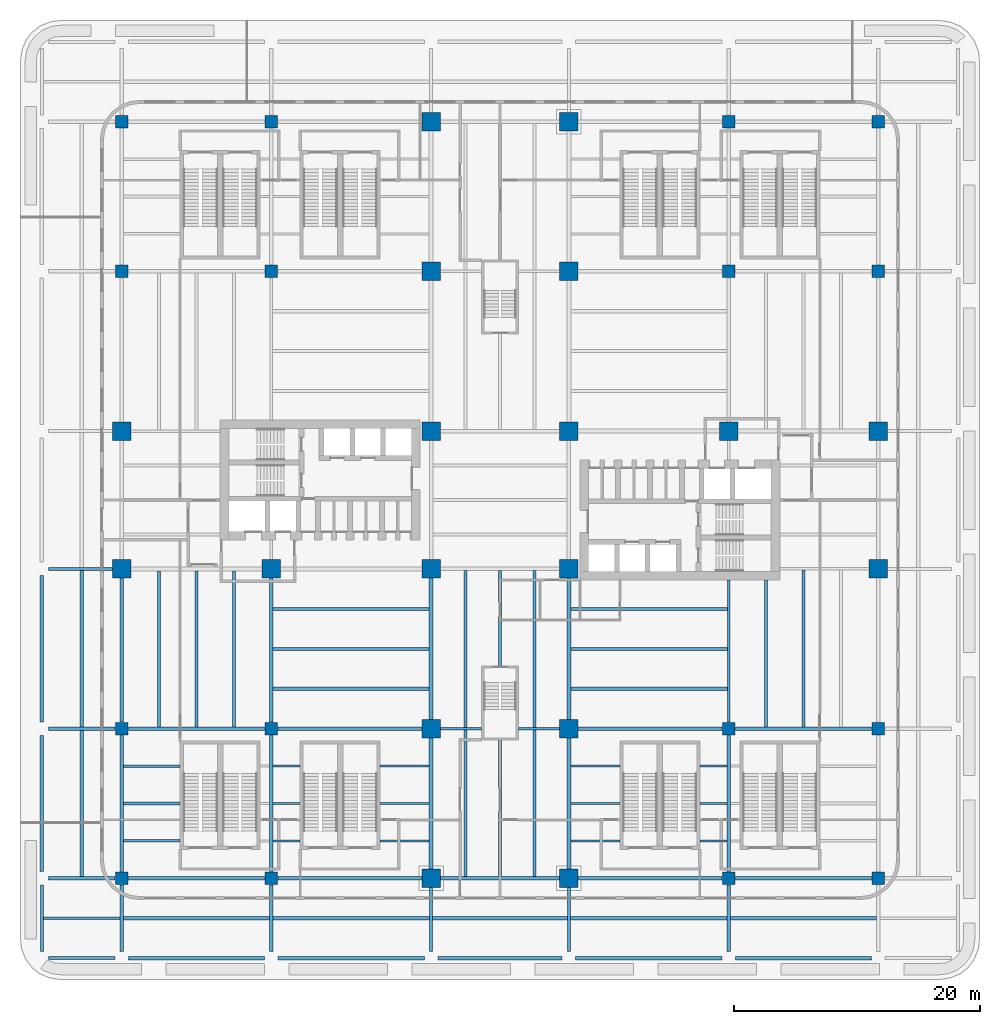
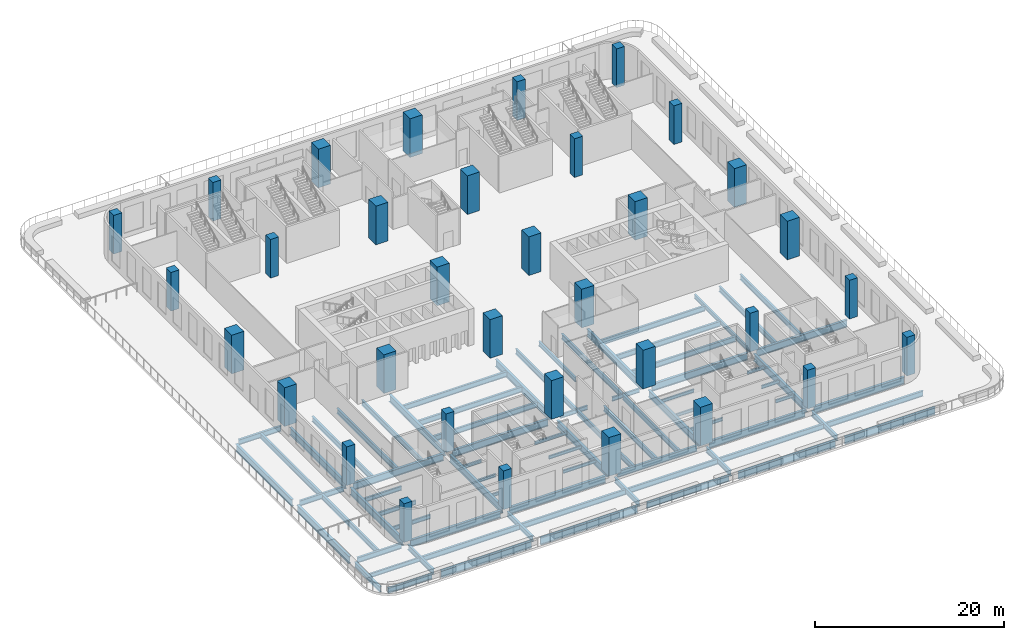
# One storey, part 1 of 17: 78 beams, 34 columns.
"""IFC4 building model written with IfcOpenShell, lengths in metres."""

import ifcopenshell
import ifcopenshell.guid

model = None  # the IFC model being written
_history = None  # IfcOwnerHistory: only IFC2X3 demands one
_inside = {}  # id of a spatial element -> (the spatial element, [elements in it])
_under = {}  # id of a project, library or spatial element -> (it, [spatial elements below it])
_declared = {}  # id of a project -> (the project, [libraries it declares])
_typed = {}  # id of a type object -> (the type object, [elements of that type])
_made_of = {}  # id of a material, layer set ... -> (it, [elements and type objects made of it])


def new_model(schema):
    """Start an empty IFC model of exactly this schema.

    Asked for "IFC4X3", IfcOpenShell would pick the latest addendum, in which some entities
    have other attributes; the version numbers below select the first issue.
    IFC2X3 requires an IfcOwnerHistory on every rooted entity: one is made here for all.
    """
    global model, _history
    if schema == "IFC4X3":
        model = ifcopenshell.file(schema_version=(4, 3, 0, 0))
    else:
        model = ifcopenshell.file(schema=schema)
    _inside.clear()
    _under.clear()
    _declared.clear()
    _typed.clear()
    _made_of.clear()
    _history = None
    if model.schema == "IFC2X3":
        org = make("IfcOrganization", Name="unknown")
        user = make(
            "IfcPersonAndOrganization",
            ThePerson=make("IfcPerson", FamilyName="unknown"),
            TheOrganization=org,
        )
        app = make(
            "IfcApplication",
            ApplicationDeveloper=org,
            Version="unknown",
            ApplicationFullName="unknown",
            ApplicationIdentifier="unknown",
        )
        _history = make(
            "IfcOwnerHistory",
            OwningUser=user,
            OwningApplication=app,
            ChangeAction="ADDED",
            CreationDate=0,
        )
    return model


def make(cls, **values):
    """One entity of the class cls with the attributes given. An attribute that is None is left unset."""
    return model.create_entity(
        cls, **{name: value for name, value in values.items() if value is not None}
    )


def rooted(cls, **values):
    """An entity with a GlobalId (a new one), such as an element, a storey or a relation."""
    return make(cls, GlobalId=ifcopenshell.guid.new(), OwnerHistory=_history, **values)


def si_unit(unit_type, name, prefix=None):
    """IfcSIUnit, for example si_unit("LENGTHUNIT", "METRE", prefix="MILLI")."""
    return make("IfcSIUnit", UnitType=unit_type, Prefix=prefix, Name=name)


def assignment(units):
    """IfcUnitAssignment: the units of a project."""
    return None if units is None else make("IfcUnitAssignment", Units=units)


def point(xyz):
    """IfcCartesianPoint."""
    return None if xyz is None else make("IfcCartesianPoint", Coordinates=xyz)


def direction(xyz):
    """IfcDirection."""
    return None if xyz is None else make("IfcDirection", DirectionRatios=xyz)


def frame(location, z_axis=None, x_axis=None):
    """IfcAxis2Placement3D, a coordinate frame: its origin and axes. An axis left out is left unset."""
    return make(
        "IfcAxis2Placement3D",
        Location=point(location),
        Axis=direction(z_axis),
        RefDirection=direction(x_axis),
    )


def frame_2d(location, x_axis=None):
    """IfcAxis2Placement2D, a coordinate frame in the plane: its origin and x axis."""
    return make(
        "IfcAxis2Placement2D", Location=point(location), RefDirection=direction(x_axis)
    )


def origin():
    """The frame at (0, 0, 0) with its axes left unset."""
    return frame((0.0, 0.0, 0.0))


def origin_2d():
    """The frame at (0, 0) in the plane with its x axis left unset."""
    return frame_2d((0.0, 0.0))


def place(relative_to, where):
    """IfcLocalPlacement: puts the frame where relative to a parent placement (None: the world)."""
    return make(
        "IfcLocalPlacement", PlacementRelTo=relative_to, RelativePlacement=where
    )


def context(
    kind, dimensions, precision=None, world=None, true_north=None, identifier=None
):
    """IfcGeometricRepresentationContext, for example the 3D "Model" context."""
    return make(
        "IfcGeometricRepresentationContext",
        ContextIdentifier=identifier,
        ContextType=kind,
        CoordinateSpaceDimension=dimensions,
        Precision=precision,
        WorldCoordinateSystem=world,
        TrueNorth=true_north,
    )


def subcontext(parent, identifier, kind, view, scale=None):
    """IfcGeometricRepresentationSubContext, for example "Body" below "Model"."""
    return make(
        "IfcGeometricRepresentationSubContext",
        ContextIdentifier=identifier,
        ContextType=kind,
        ParentContext=parent,
        TargetScale=scale,
        TargetView=view,
    )


def project(units=None, contexts=None):
    """IfcProject with its units and contexts."""
    return rooted(
        "IfcProject",
        Name="project",
        RepresentationContexts=contexts,
        UnitsInContext=assignment(units),
    )


def spatial(cls, under=None, at=None, **own):
    """A site, building, storey or space (cls), placed at a placement, below another one or the project."""
    s = rooted(cls, ObjectPlacement=at, **own)
    if under is not None:
        _under.setdefault(under.id(), (under, []))[1].append(s)
    return s


def profile(cls, at=None, kind="AREA", **sizes):
    """A parametric profile (cls). Its sizes go by their IFC names, for example OverallWidth=200.0."""
    return make(cls, ProfileType=kind, Position=at, **sizes)


def rectangle(**sizes):
    """IfcRectangleProfileDef."""
    return profile("IfcRectangleProfileDef", **sizes)


def i_section(**sizes):
    """IfcIShapeProfileDef."""
    return profile("IfcIShapeProfileDef", **sizes)


def extrude(swept, where, along, depth):
    """IfcExtrudedAreaSolid: the profile swept, set in the frame where, extruded along a direction by depth."""
    return make(
        "IfcExtrudedAreaSolid",
        SweptArea=swept,
        Position=where,
        ExtrudedDirection=direction(along),
        Depth=depth,
    )


def shape(context_of_items, identifier, shape_type, items):
    """IfcShapeRepresentation: the items that make up one representation, for example the "Body"."""
    return make(
        "IfcShapeRepresentation",
        ContextOfItems=context_of_items,
        RepresentationIdentifier=identifier,
        RepresentationType=shape_type,
        Items=items,
    )


def source(mapping_origin, context_of_items, identifier, shape_type, items):
    """IfcRepresentationMap: a shape defined once, which mapped items show again and again."""
    return make(
        "IfcRepresentationMap",
        MappingOrigin=mapping_origin,
        MappedRepresentation=shape(context_of_items, identifier, shape_type, items),
    )


def transform(
    local_origin,
    x_axis=None,
    y_axis=None,
    z_axis=None,
    scale=None,
    scale2=None,
    scale3=None,
    uniform=True,
):
    """IfcCartesianTransformationOperator3D, or its non-uniform kind. x_axis, y_axis, z_axis: its Axis1, 2, 3."""
    if uniform:
        return make(
            "IfcCartesianTransformationOperator3D",
            Axis1=direction(x_axis),
            Axis2=direction(y_axis),
            LocalOrigin=point(local_origin),
            Scale=scale,
            Axis3=direction(z_axis),
        )
    return make(
        "IfcCartesianTransformationOperator3DnonUniform",
        Axis1=direction(x_axis),
        Axis2=direction(y_axis),
        LocalOrigin=point(local_origin),
        Scale=scale,
        Axis3=direction(z_axis),
        Scale2=scale2,
        Scale3=scale3,
    )


def mapped(mapping_source, mapping_target):
    """IfcMappedItem: shows the shape of a source again, moved by a transform."""
    return make(
        "IfcMappedItem", MappingSource=mapping_source, MappingTarget=mapping_target
    )


def material(Name=None, Category=None):
    """IfcMaterial."""
    return make("IfcMaterial", Name=Name, Category=Category)


def material_profile(
    of_material, cross_section, Name=None, Category=None, Priority=None
):
    """IfcMaterialProfile: a cross section and its material."""
    return make(
        "IfcMaterialProfile",
        Name=Name,
        Material=of_material,
        Profile=cross_section,
        Priority=Priority,
        Category=Category,
    )


def profile_set(profiles, Name=None, composite=None):
    """IfcMaterialProfileSet."""
    return make(
        "IfcMaterialProfileSet",
        Name=Name,
        MaterialProfiles=profiles,
        CompositeProfile=composite,
    )


def made_of(thing, what):
    """Note that an element or type object is made of a material, layer set ...; save() writes the relation."""
    if what is not None:
        _made_of.setdefault(what.id(), (what, []))[1].append(thing)
    return thing


def type_object(cls, material=None, **own):
    """A type object (cls), such as IfcWallType, which elements share."""
    return made_of(rooted(cls, **own), material)


def element(
    cls,
    number,
    at=None,
    inside=None,
    cuts=None,
    type_object=None,
    material=None,
    context=None,
    identifier="Body",
    shape_type=None,
    held_by="IfcProductDefinitionShape",
    body=None,
    shapes=None,
    **own,
):
    """One element of the class cls, such as IfcWall. Its Tag is "e" and its number.

    at: its placement. inside: the storey or other place that contains it. cuts: it is an
    opening in that element (IfcRelVoidsElement). A single representation is given by context,
    identifier, shape_type and body (its items); several are given by shapes. held_by: the class
    of the entity that holds the representations. save() writes the other relations.
    """
    e = rooted(cls, Tag="e%d" % number, ObjectPlacement=at, **own)
    if body is not None:
        shapes = [shape(context, identifier, shape_type, body)]
    if shapes is not None:
        e.Representation = make(held_by, Representations=shapes)
    if inside is not None:
        _inside.setdefault(inside.id(), (inside, []))[1].append(e)
    if cuts is not None:
        rooted(
            "IfcRelVoidsElement", RelatingBuildingElement=cuts, RelatedOpeningElement=e
        )
    if type_object is not None:
        _typed.setdefault(type_object.id(), (type_object, []))[1].append(e)
    return made_of(e, material)


def aggregate(whole, parts):
    """IfcRelAggregates: a whole, such as a stair, and the parts it consists of."""
    return rooted("IfcRelAggregates", RelatingObject=whole, RelatedObjects=parts)


def save(model, path):
    """Write the relations noted so far, then the file.

    IfcRelAggregates (storeys below a building ...), IfcRelContainedInSpatialStructure (elements
    in a storey), IfcRelDefinesByType, IfcRelAssociatesMaterial and IfcRelDeclares: one each for
    every whole, place, type object, material and project.
    """
    for whole, parts in _under.values():
        aggregate(whole, parts)
    for where, things in _inside.values():
        rooted(
            "IfcRelContainedInSpatialStructure",
            RelatedElements=things,
            RelatingStructure=where,
        )
    for kind, things in _typed.values():
        rooted("IfcRelDefinesByType", RelatedObjects=things, RelatingType=kind)
    for what, things in _made_of.values():
        rooted("IfcRelAssociatesMaterial", RelatedObjects=things, RelatingMaterial=what)
    for by, libraries in _declared.values():
        rooted("IfcRelDeclares", RelatingContext=by, RelatedDefinitions=libraries)
    model.write(path)


model = new_model("IFC4")

# Units and contexts
model_context = context("Model", 3, precision=1e-05, world=origin(), true_north=direction((0.0, 1.0)))
body_context = subcontext(model_context, "Body", "Model", "MODEL_VIEW")
ifc_project = project(units=[si_unit("LENGTHUNIT", "METRE"), si_unit("AREAUNIT", "SQUARE_METRE"), si_unit("VOLUMEUNIT", "CUBIC_METRE"), si_unit("PLANEANGLEUNIT", "RADIAN"), si_unit("MASSUNIT", "GRAM", prefix="KILO")], contexts=[model_context])

# Site, building, storey
site_placement = place(None, origin())
site = spatial("IfcSite", under=ifc_project, at=site_placement, CompositionType="ELEMENT")
building_placement = place(site_placement, origin())
building = spatial("IfcBuilding", under=site, at=building_placement, Name="Trellis Farm Tower", CompositionType="ELEMENT")
storey_placement = place(building_placement, frame((0.0, 0.0, 24.0)))
storey = spatial("IfcBuildingStorey", under=building, at=storey_placement, Name="L04", CompositionType="ELEMENT", Elevation=24.0)

# Columns
ifc_material_1 = material(Name="Concrete C80/95", Category="concrete")
ifc_material_profile_1 = material_profile(ifc_material_1, rectangle(XDim=1.5, YDim=1.5, at=origin_2d()), Name="RC column 1500x1500 C80/95")
ifc_profile_set_1 = profile_set([ifc_material_profile_1], Name="Concrete C80/95")
column_type_1 = type_object("IfcColumnType", Name="RC column 1500x1500 C80/95", PredefinedType="COLUMN", material=ifc_profile_set_1)
shared_shape_1 = source(origin(), body_context, "Body", "SweptSolid", [
    extrude(rectangle(XDim=1.5, YDim=1.5, at=origin_2d()), origin(), (0.0, 0.0, 1.0), 5.0),
])
for number, where, z_axis, x_axis, name in (
    (1, (5.60009765625, 5.60009765625, 0.0), (0.0, 0.0, 1.0), (1.0, 0.0, 0.0), "Column"),
    (2, (5.60009765625, 18.60009765625, 0.0), (0.0, 0.0, 1.0), (1.0, 0.0, 0.0), "Column"),
    (3, (5.60009765625, 30.75, 0.0), (0.0, 0.0, 1.0), (1.0, 0.0, 0.0), "Column"),
    (4, (5.60009765625, -5.60009765625, 0.0), (0.0, 0.0, 1.0), (1.0, 0.0, 0.0), "Column"),
    (5, (5.60009765625, -18.60009765625, 0.0), (0.0, 0.0, 1.0), (1.0, 0.0, 0.0), "Column"),
    (6, (5.60009765625, -30.75, 0.0), (0.0, 0.0, 1.0), (1.0, 0.0, 0.0), "Column"),
    (7, (18.60009765625, 5.60009765625, 0.0), (0.0, 0.0, 1.0), (1.0, 0.0, 0.0), "Column"),
    (8, (30.75, 5.60009765625, 0.0), (0.0, 0.0, 1.0), (1.0, 0.0, 0.0), "Column"),
    (9, (30.75, -5.60009765625, 0.0), (0.0, 0.0, 1.0), (1.0, 0.0, 0.0), "Column"),
    (10, (-5.60009765625, 5.60009765625, 0.0), (0.0, 0.0, 1.0), (1.0, 0.0, 0.0), "Column"),
    (11, (-5.60009765625, 18.60009765625, 0.0), (0.0, 0.0, 1.0), (1.0, 0.0, 0.0), "Column"),
    (12, (-5.60009765625, 30.75, 0.0), (0.0, 0.0, 1.0), (1.0, 0.0, 0.0), "Column"),
    (13, (-5.60009765625, -5.60009765625, 0.0), (0.0, 0.0, 1.0), (1.0, 0.0, 0.0), "Column"),
    (14, (-5.60009765625, -18.60009765625, 0.0), (0.0, 0.0, 1.0), (1.0, 0.0, 0.0), "Column"),
    (15, (-5.60009765625, -30.75, 0.0), (0.0, 0.0, 1.0), (1.0, 0.0, 0.0), "Column"),
    (16, (-18.60009765625, -5.60009765625, 0.0), (0.0, 0.0, 1.0), (1.0, 0.0, 0.0), "Column"),
    (17, (-30.75, 5.60009765625, 0.0), (0.0, 0.0, 1.0), (1.0, 0.0, 0.0), "Column"),
    (18, (-30.75, -5.60009765625, 0.0), (0.0, 0.0, 1.0), (1.0, 0.0, 0.0), "Column"),
):
    element("IfcColumn", number, at=place(storey_placement, frame(where, z_axis=z_axis, x_axis=x_axis)), inside=storey, type_object=column_type_1, Name=name, PredefinedType="COLUMN", context=body_context, shape_type="MappedRepresentation", body=[
        mapped(shared_shape_1, transform((0.0, 0.0, 0.0))),
    ])
ifc_material_2 = material(Name="Concrete C60/75", Category="concrete")
ifc_material_profile_2 = material_profile(ifc_material_2, rectangle(XDim=1.0, YDim=1.0, at=origin_2d()), Name="RC column 1000x1000 C60/75")
ifc_profile_set_2 = profile_set([ifc_material_profile_2], Name="Concrete C60/75")
column_type_2 = type_object("IfcColumnType", Name="RC column 1000x1000 C60/75", PredefinedType="COLUMN", material=ifc_profile_set_2)
shared_shape_2 = source(origin(), body_context, "Body", "SweptSolid", [
    extrude(rectangle(XDim=1.0, YDim=1.0, at=origin_2d()), origin(), (0.0, 0.0, 1.0), 5.0),
])
for number, where, z_axis, x_axis, name in (
    (19, (18.60009765625, 18.60009765625, 0.0), (0.0, 0.0, 1.0), (1.0, 0.0, 0.0), "Column"),
    (20, (18.60009765625, 30.75, 0.0), (0.0, 0.0, 1.0), (1.0, 0.0, 0.0), "Column"),
    (21, (18.60009765625, -18.60009765625, 0.0), (0.0, 0.0, 1.0), (1.0, 0.0, 0.0), "Column"),
    (22, (18.60009765625, -30.75, 0.0), (0.0, 0.0, 1.0), (1.0, 0.0, 0.0), "Column"),
    (23, (30.75, 18.60009765625, 0.0), (0.0, 0.0, 1.0), (1.0, 0.0, 0.0), "Column"),
    (24, (30.75, 30.75, 0.0), (0.0, 0.0, 1.0), (1.0, 0.0, 0.0), "Column"),
    (25, (30.75, -18.60009765625, 0.0), (0.0, 0.0, 1.0), (1.0, 0.0, 0.0), "Column"),
    (26, (30.75, -30.75, 0.0), (0.0, 0.0, 1.0), (1.0, 0.0, 0.0), "Column"),
    (27, (-18.60009765625, 18.60009765625, 0.0), (0.0, 0.0, 1.0), (1.0, 0.0, 0.0), "Column"),
    (28, (-18.60009765625, 30.75, 0.0), (0.0, 0.0, 1.0), (1.0, 0.0, 0.0), "Column"),
    (29, (-18.60009765625, -18.60009765625, 0.0), (0.0, 0.0, 1.0), (1.0, 0.0, 0.0), "Column"),
    (30, (-18.60009765625, -30.75, 0.0), (0.0, 0.0, 1.0), (1.0, 0.0, 0.0), "Column"),
    (31, (-30.75, 18.60009765625, 0.0), (0.0, 0.0, 1.0), (1.0, 0.0, 0.0), "Column"),
    (32, (-30.75, 30.75, 0.0), (0.0, 0.0, 1.0), (1.0, 0.0, 0.0), "Column"),
    (33, (-30.75, -18.60009765625, 0.0), (0.0, 0.0, 1.0), (1.0, 0.0, 0.0), "Column"),
    (34, (-30.75, -30.75, 0.0), (0.0, 0.0, 1.0), (1.0, 0.0, 0.0), "Column"),
):
    element("IfcColumn", number, at=place(storey_placement, frame(where, z_axis=z_axis, x_axis=x_axis)), inside=storey, type_object=column_type_2, Name=name, PredefinedType="COLUMN", context=body_context, shape_type="MappedRepresentation", body=[
        mapped(shared_shape_2, transform((0.0, 0.0, 0.0))),
    ])

# Beams
ifc_material_3 = material(Name="Steel S355", Category="steel")
ifc_material_profile_3 = material_profile(ifc_material_3, i_section(OverallWidth=0.253662109375, OverallDepth=0.68359375, WebThickness=0.012451171875, FlangeThickness=0.021728515625, FilletRadius=0.01513671875, at=origin_2d()), Name="UB 686x254x140")
ifc_profile_set_3 = profile_set([ifc_material_profile_3], Name="Steel S355")
beam_type_1 = type_object("IfcBeamType", Name="UB 686x254x140 joist", PredefinedType="JOIST", material=ifc_profile_set_3)
shared_shape_3 = source(origin(), body_context, "Body", "SweptSolid", [
    extrude(i_section(OverallWidth=0.253662109375, OverallDepth=0.68359375, WebThickness=0.012451171875, FlangeThickness=0.021728515625, FilletRadius=0.01513671875, at=origin_2d()), origin(), (0.0, 0.0, 1.0), 12.746337890625),
])
for number, where, z_axis, x_axis, name in (
    (35, (-18.47314453125, -34.0, -0.641845703125), (1.0, 0.0, 0.0), (0.0, 1.0, 0.0), "Floor beam"),
    (36, (5.726806640625, -34.0, -0.641845703125), (1.0, 0.0, 0.0), (0.0, 1.0, 0.0), "Floor beam"),
    (37, (-34.0, -18.47314453125, -0.641845703125), (0.0, 1.0, 0.0), (-1.0, 0.0, 0.0), "Floor beam"),
):
    element("IfcBeam", number, at=place(storey_placement, frame(where, z_axis=z_axis, x_axis=x_axis)), inside=storey, type_object=beam_type_1, Name=name, PredefinedType="JOIST", context=body_context, shape_type="MappedRepresentation", body=[
        mapped(shared_shape_3, transform((0.0, 0.0, 0.0))),
    ])
shared_shape_4 = source(origin(), body_context, "Body", "SweptSolid", [
    extrude(i_section(OverallWidth=0.253662109375, OverallDepth=0.68359375, WebThickness=0.012451171875, FlangeThickness=0.021728515625, FilletRadius=0.01513671875, at=origin_2d()), origin(), (0.0, 0.0, 1.0), 11.896240234375),
])
for number, where, z_axis, x_axis, name in (
    (38, (-30.623046875, -34.0, -0.641845703125), (1.0, 0.0, 0.0), (0.0, 1.0, 0.0), "Floor beam"),
    (39, (18.726806640625, -34.0, -0.641845703125), (1.0, 0.0, 0.0), (0.0, 1.0, 0.0), "Floor beam"),
    (40, (-34.0, -30.623046875, -0.641845703125), (0.0, 1.0, 0.0), (-1.0, 0.0, 0.0), "Floor beam"),
):
    element("IfcBeam", number, at=place(storey_placement, frame(where, z_axis=z_axis, x_axis=x_axis)), inside=storey, type_object=beam_type_1, Name=name, PredefinedType="JOIST", context=body_context, shape_type="MappedRepresentation", body=[
        mapped(shared_shape_4, transform((0.0, 0.0, 0.0))),
    ])
ifc_material_profile_4 = material_profile(ifc_material_3, i_section(OverallWidth=0.209228515625, OverallDepth=0.533203125, WebThickness=0.010009765625, FlangeThickness=0.015625, FilletRadius=0.0126953125, at=origin_2d()), Name="UB 533x210x92")
ifc_profile_set_4 = profile_set([ifc_material_profile_4], Name="Steel S355")
beam_type_2 = type_object("IfcBeamType", Name="UB 533x210x92 joist", PredefinedType="JOIST", material=ifc_profile_set_4)
shared_shape_5 = source(origin(), body_context, "Body", "SweptSolid", [
    extrude(i_section(OverallWidth=0.209228515625, OverallDepth=0.533203125, WebThickness=0.010009765625, FlangeThickness=0.015625, FilletRadius=0.0126953125, at=origin_2d()), origin(), (0.0, 0.0, 1.0), 6.246337890625),
])
beam_1_placement = place(storey_placement, frame((-37.123291015625, -34.0, -0.56640625), z_axis=(1.0, 0.0, 0.0), x_axis=(0.0, 1.0, 0.0)))
element("IfcBeam", 41, at=beam_1_placement, inside=storey, type_object=beam_type_2, Name="Floor beam", PredefinedType="JOIST", context=body_context, shape_type="MappedRepresentation", body=[
    mapped(shared_shape_5, transform((0.0, 0.0, 0.0))),
])
shared_shape_6 = source(origin(), body_context, "Body", "SweptSolid", [
    extrude(i_section(OverallWidth=0.253662109375, OverallDepth=0.68359375, WebThickness=0.012451171875, FlangeThickness=0.021728515625, FilletRadius=0.01513671875, at=origin_2d()), origin(), (0.0, 0.0, 1.0), 10.9462890625),
])
beam_2_placement = place(storey_placement, frame((-5.47314453125, -34.0, -0.641845703125), z_axis=(1.0, 0.0, 0.0), x_axis=(0.0, 1.0, 0.0)))
element("IfcBeam", 42, at=beam_2_placement, inside=storey, type_object=beam_type_1, Name="Floor beam", PredefinedType="JOIST", context=body_context, shape_type="MappedRepresentation", body=[
    mapped(shared_shape_6, transform((0.0, 0.0, 0.0))),
])
shared_shape_7 = source(origin(), body_context, "Body", "SweptSolid", [
    extrude(i_section(OverallWidth=0.253662109375, OverallDepth=0.68359375, WebThickness=0.012451171875, FlangeThickness=0.021728515625, FilletRadius=0.01513671875, at=origin_2d()), origin(), (0.0, 0.0, 1.0), 12.694580078125),
])
for number, where, z_axis, x_axis, name in (
    (43, (-18.447265625, -15.35009765625, -0.641845703125), (1.0, 0.0, 0.0), (0.0, 1.0, 0.0), "Floor beam"),
    (44, (-18.447265625, -12.10009765625, -0.641845703125), (1.0, 0.0, 0.0), (0.0, 1.0, 0.0), "Floor beam"),
    (45, (-18.447265625, -8.85009765625, -0.641845703125), (1.0, 0.0, 0.0), (0.0, 1.0, 0.0), "Floor beam"),
    (46, (-27.71240234375, -18.447265625, -0.641845703125), (0.0, 1.0, 0.0), (-1.0, 0.0, 0.0), "Floor beam"),
    (47, (-24.675048828125, -18.447265625, -0.641845703125), (0.0, 1.0, 0.0), (-1.0, 0.0, 0.0), "Floor beam"),
    (48, (-21.637451171875, -18.447265625, -0.641845703125), (0.0, 1.0, 0.0), (-1.0, 0.0, 0.0), "Floor beam"),
):
    element("IfcBeam", number, at=place(storey_placement, frame(where, z_axis=z_axis, x_axis=x_axis)), inside=storey, type_object=beam_type_1, Name=name, PredefinedType="JOIST", context=body_context, shape_type="MappedRepresentation", body=[
        mapped(shared_shape_7, transform((0.0, 0.0, 0.0))),
    ])
ifc_material_profile_5 = material_profile(ifc_material_3, i_section(OverallWidth=0.2275390625, OverallDepth=0.6025390625, WebThickness=0.010498046875, FlangeThickness=0.014892578125, FilletRadius=0.0126953125, at=origin_2d()), Name="UB 610x229x101")
ifc_profile_set_5 = profile_set([ifc_material_profile_5], Name="Steel S355")
beam_type_3 = type_object("IfcBeamType", Name="UB 610x229x101 joist", PredefinedType="JOIST", material=ifc_profile_set_5)
shared_shape_8 = source(origin(), body_context, "Body", "SweptSolid", [
    extrude(i_section(OverallWidth=0.2275390625, OverallDepth=0.6025390625, WebThickness=0.010498046875, FlangeThickness=0.014892578125, FilletRadius=0.0126953125, at=origin_2d()), origin(), (0.0, 0.0, 1.0), 7.7666015625),
])
beam_3_placement = place(storey_placement, frame((0.0, -13.5, -0.601318359375), z_axis=(0.0, 1.0, 0.0), x_axis=(-1.0, 0.0, 0.0)))
element("IfcBeam", 49, at=beam_3_placement, inside=storey, type_object=beam_type_3, Name="Floor beam", PredefinedType="JOIST", context=body_context, shape_type="MappedRepresentation", body=[
    mapped(shared_shape_8, transform((0.0, 0.0, 0.0))),
])
shared_shape_9 = source(origin(), body_context, "Body", "SweptSolid", [
    extrude(i_section(OverallWidth=0.253662109375, OverallDepth=0.68359375, WebThickness=0.012451171875, FlangeThickness=0.021728515625, FilletRadius=0.01513671875, at=origin_2d()), origin(), (0.0, 0.0, 1.0), 11.11669921875),
])
beam_4_placement = place(storey_placement, frame((0.0, -30.61669921875, -0.641845703125), z_axis=(0.0, 1.0, 0.0), x_axis=(-1.0, 0.0, 0.0)))
element("IfcBeam", 50, at=beam_4_placement, inside=storey, type_object=beam_type_1, Name="Floor beam", PredefinedType="JOIST", context=body_context, shape_type="MappedRepresentation", body=[
    mapped(shared_shape_9, transform((0.0, 0.0, 0.0))),
])
ifc_material_profile_6 = material_profile(ifc_material_3, i_section(OverallWidth=0.305419921875, OverallDepth=0.91845703125, WebThickness=0.017333984375, FlangeThickness=0.02783203125, FilletRadius=0.01904296875, at=origin_2d()), Name="UB 914x305x253")
ifc_profile_set_6 = profile_set([ifc_material_profile_6], Name="Steel S355")
beam_type_4 = type_object("IfcBeamType", Name="UB 914x305x253", PredefinedType="BEAM", material=ifc_profile_set_6)
shared_shape_10 = source(origin(), body_context, "Body", "SweptSolid", [
    extrude(i_section(OverallWidth=0.305419921875, OverallDepth=0.91845703125, WebThickness=0.017333984375, FlangeThickness=0.02783203125, FilletRadius=0.01904296875, at=origin_2d()), origin(), (0.0, 0.0, 1.0), 11.900146484375),
])
for number, where, z_axis, x_axis, name in (
    (51, (-18.050048828125, -37.25, -0.75927734375), (1.0, 0.0, 0.0), (0.0, 1.0, 0.0), "Girder"),
    (52, (6.14990234375, -37.25, -0.75927734375), (1.0, 0.0, 0.0), (0.0, 1.0, 0.0), "Girder"),
    (53, (-37.25, -18.050048828125, -0.75927734375), (0.0, 1.0, 0.0), (-1.0, 0.0, 0.0), "Girder"),
):
    element("IfcBeam", number, at=place(storey_placement, frame(where, z_axis=z_axis, x_axis=x_axis)), inside=storey, type_object=beam_type_4, Name=name, PredefinedType="BEAM", context=body_context, shape_type="MappedRepresentation", body=[
        mapped(shared_shape_10, transform((0.0, 0.0, 0.0))),
    ])
shared_shape_11 = source(origin(), body_context, "Body", "SweptSolid", [
    extrude(i_section(OverallWidth=0.305419921875, OverallDepth=0.91845703125, WebThickness=0.017333984375, FlangeThickness=0.02783203125, FilletRadius=0.01904296875, at=origin_2d()), origin(), (0.0, 0.0, 1.0), 11.050048828125),
])
for number, where, z_axis, x_axis, name in (
    (54, (-30.199951171875, -37.25, -0.75927734375), (1.0, 0.0, 0.0), (0.0, 1.0, 0.0), "Girder"),
    (55, (19.14990234375, -37.25, -0.75927734375), (1.0, 0.0, 0.0), (0.0, 1.0, 0.0), "Girder"),
    (56, (-30.199951171875, -30.75, -0.75927734375), (1.0, 0.0, 0.0), (0.0, 1.0, 0.0), "Girder"),
    (57, (19.14990234375, -30.75, -0.75927734375), (1.0, 0.0, 0.0), (0.0, 1.0, 0.0), "Girder"),
    (58, (-30.199951171875, -18.60009765625, -0.75927734375), (1.0, 0.0, 0.0), (0.0, 1.0, 0.0), "Girder"),
    (59, (19.14990234375, -18.60009765625, -0.75927734375), (1.0, 0.0, 0.0), (0.0, 1.0, 0.0), "Girder"),
    (60, (-37.25, -30.199951171875, -0.75927734375), (0.0, 1.0, 0.0), (-1.0, 0.0, 0.0), "Girder"),
    (61, (-30.75, -30.199951171875, -0.75927734375), (0.0, 1.0, 0.0), (-1.0, 0.0, 0.0), "Girder"),
    (62, (-18.60009765625, -30.199951171875, -0.75927734375), (0.0, 1.0, 0.0), (-1.0, 0.0, 0.0), "Girder"),
    (63, (18.60009765625, -30.199951171875, -0.75927734375), (0.0, 1.0, 0.0), (-1.0, 0.0, 0.0), "Girder"),
):
    element("IfcBeam", number, at=place(storey_placement, frame(where, z_axis=z_axis, x_axis=x_axis)), inside=storey, type_object=beam_type_4, Name=name, PredefinedType="BEAM", context=body_context, shape_type="MappedRepresentation", body=[
        mapped(shared_shape_11, transform((0.0, 0.0, 0.0))),
    ])
ifc_material_profile_7 = material_profile(ifc_material_3, i_section(OverallWidth=0.253662109375, OverallDepth=0.68359375, WebThickness=0.012451171875, FlangeThickness=0.021728515625, FilletRadius=0.01513671875, at=origin_2d()), Name="UB 686x254x140")
ifc_profile_set_7 = profile_set([ifc_material_profile_7], Name="Steel S355")
beam_type_5 = type_object("IfcBeamType", Name="UB 686x254x140", PredefinedType="BEAM", material=ifc_profile_set_7)
shared_shape_12 = source(origin(), body_context, "Body", "SweptSolid", [
    extrude(i_section(OverallWidth=0.253662109375, OverallDepth=0.68359375, WebThickness=0.012451171875, FlangeThickness=0.021728515625, FilletRadius=0.01513671875, at=origin_2d()), origin(), (0.0, 0.0, 1.0), 5.39990234375),
])
for number, where, z_axis, x_axis, name in (
    (64, (-36.699951171875, -37.25, -0.641845703125), (1.0, 0.0, 0.0), (0.0, 1.0, 0.0), "Girder"),
    (65, (-36.699951171875, -30.75, -0.641845703125), (1.0, 0.0, 0.0), (0.0, 1.0, 0.0), "Girder"),
    (66, (-36.699951171875, -18.60009765625, -0.641845703125), (1.0, 0.0, 0.0), (0.0, 1.0, 0.0), "Girder"),
    (67, (-37.25, -36.699951171875, -0.641845703125), (0.0, 1.0, 0.0), (-1.0, 0.0, 0.0), "Girder"),
    (68, (-30.75, -36.699951171875, -0.641845703125), (0.0, 1.0, 0.0), (-1.0, 0.0, 0.0), "Girder"),
    (69, (-18.60009765625, -36.699951171875, -0.641845703125), (0.0, 1.0, 0.0), (-1.0, 0.0, 0.0), "Girder"),
    (70, (18.60009765625, -36.699951171875, -0.641845703125), (0.0, 1.0, 0.0), (-1.0, 0.0, 0.0), "Girder"),
):
    element("IfcBeam", number, at=place(storey_placement, frame(where, z_axis=z_axis, x_axis=x_axis)), inside=storey, type_object=beam_type_5, Name=name, PredefinedType="BEAM", context=body_context, shape_type="MappedRepresentation", body=[
        mapped(shared_shape_12, transform((0.0, 0.0, 0.0))),
    ])
ifc_material_profile_8 = material_profile(ifc_material_3, i_section(OverallWidth=0.2666015625, OverallDepth=0.76220703125, WebThickness=0.014404296875, FlangeThickness=0.021484375, FilletRadius=0.0166015625, at=origin_2d()), Name="UB 762x267x173")
ifc_profile_set_8 = profile_set([ifc_material_profile_8], Name="Steel S355")
beam_type_6 = type_object("IfcBeamType", Name="UB 762x267x173", PredefinedType="BEAM", material=ifc_profile_set_8)
shared_shape_13 = source(origin(), body_context, "Body", "SweptSolid", [
    extrude(i_section(OverallWidth=0.2666015625, OverallDepth=0.76220703125, WebThickness=0.014404296875, FlangeThickness=0.021484375, FilletRadius=0.0166015625, at=origin_2d()), origin(), (0.0, 0.0, 1.0), 10.10009765625),
])
beam_5_placement = place(storey_placement, frame((-5.050048828125, -37.25, -0.68115234375), z_axis=(1.0, 0.0, 0.0), x_axis=(0.0, 1.0, 0.0)))
element("IfcBeam", 71, at=beam_5_placement, inside=storey, type_object=beam_type_6, Name="Girder", PredefinedType="BEAM", context=body_context, shape_type="MappedRepresentation", body=[
    mapped(shared_shape_13, transform((0.0, 0.0, 0.0))),
])
ifc_material_profile_9 = material_profile(ifc_material_3, i_section(OverallWidth=0.209228515625, OverallDepth=0.533203125, WebThickness=0.010009765625, FlangeThickness=0.015625, FilletRadius=0.0126953125, at=origin_2d()), Name="UB 533x210x92")
ifc_profile_set_9 = profile_set([ifc_material_profile_9], Name="Steel S355")
beam_type_7 = type_object("IfcBeamType", Name="UB 533x210x92", PredefinedType="BEAM", material=ifc_profile_set_9)
shared_shape_14 = source(origin(), body_context, "Body", "SweptSolid", [
    extrude(i_section(OverallWidth=0.209228515625, OverallDepth=0.533203125, WebThickness=0.010009765625, FlangeThickness=0.015625, FilletRadius=0.0126953125, at=origin_2d()), origin(), (0.0, 0.0, 1.0), 11.550048828125),
])
beam_6_placement = place(storey_placement, frame((18.60009765625, -18.050048828125, -0.56640625), z_axis=(0.0, 1.0, 0.0), x_axis=(-1.0, 0.0, 0.0)))
element("IfcBeam", 72, at=beam_6_placement, inside=storey, type_object=beam_type_7, Name="Girder", PredefinedType="BEAM", context=body_context, shape_type="MappedRepresentation", body=[
    mapped(shared_shape_14, transform((0.0, 0.0, 0.0))),
])
ifc_material_profile_10 = material_profile(ifc_material_3, i_section(OverallWidth=0.177978515625, OverallDepth=0.406494140625, WebThickness=0.0078125, FlangeThickness=0.0126953125, FilletRadius=0.01025390625, at=origin_2d()), Name="UB 406x178x60")
ifc_profile_set_10 = profile_set([ifc_material_profile_10], Name="Steel S355")
beam_type_8 = type_object("IfcBeamType", Name="UB 406x178x60 joist", PredefinedType="JOIST", material=ifc_profile_set_10)
shared_shape_15 = source(origin(), body_context, "Body", "SweptSolid", [
    extrude(i_section(OverallWidth=0.177978515625, OverallDepth=0.406494140625, WebThickness=0.0078125, FlangeThickness=0.0126953125, FilletRadius=0.01025390625, at=origin_2d()), origin(), (0.0, 0.0, 1.0), 2.197265625),
])
for number, where, z_axis, x_axis, name in (
    (73, (-18.447265625, -27.71240234375, -0.503173828125), (1.0, 0.0, 0.0), (0.0, 1.0, 0.0), "Floor beam"),
    (74, (16.25, -27.71240234375, -0.503173828125), (1.0, 0.0, 0.0), (0.0, 1.0, 0.0), "Floor beam"),
    (75, (-18.447265625, -24.675048828125, -0.503173828125), (1.0, 0.0, 0.0), (0.0, 1.0, 0.0), "Floor beam"),
    (76, (16.25, -24.675048828125, -0.503173828125), (1.0, 0.0, 0.0), (0.0, 1.0, 0.0), "Floor beam"),
    (77, (-18.447265625, -21.637451171875, -0.503173828125), (1.0, 0.0, 0.0), (0.0, 1.0, 0.0), "Floor beam"),
    (78, (16.25, -21.637451171875, -0.503173828125), (1.0, 0.0, 0.0), (0.0, 1.0, 0.0), "Floor beam"),
):
    element("IfcBeam", number, at=place(storey_placement, frame(where, z_axis=z_axis, x_axis=x_axis)), inside=storey, type_object=beam_type_8, Name=name, PredefinedType="JOIST", context=body_context, shape_type="MappedRepresentation", body=[
        mapped(shared_shape_15, transform((0.0, 0.0, 0.0))),
    ])
shared_shape_16 = source(origin(), body_context, "Body", "SweptSolid", [
    extrude(i_section(OverallWidth=0.209228515625, OverallDepth=0.533203125, WebThickness=0.010009765625, FlangeThickness=0.015625, FilletRadius=0.0126953125, at=origin_2d()), origin(), (0.0, 0.0, 1.0), 4.59716796875),
])
for number, where, z_axis, x_axis, name in (
    (79, (-30.59716796875, -27.71240234375, -0.56640625), (1.0, 0.0, 0.0), (0.0, 1.0, 0.0), "Floor beam"),
    (80, (-30.59716796875, -24.675048828125, -0.56640625), (1.0, 0.0, 0.0), (0.0, 1.0, 0.0), "Floor beam"),
    (81, (-30.59716796875, -21.637451171875, -0.56640625), (1.0, 0.0, 0.0), (0.0, 1.0, 0.0), "Floor beam"),
):
    element("IfcBeam", number, at=place(storey_placement, frame(where, z_axis=z_axis, x_axis=x_axis)), inside=storey, type_object=beam_type_2, Name=name, PredefinedType="JOIST", context=body_context, shape_type="MappedRepresentation", body=[
        mapped(shared_shape_16, transform((0.0, 0.0, 0.0))),
    ])
shared_shape_17 = source(origin(), body_context, "Body", "SweptSolid", [
    extrude(i_section(OverallWidth=0.253662109375, OverallDepth=0.68359375, WebThickness=0.012451171875, FlangeThickness=0.021728515625, FilletRadius=0.01513671875, at=origin_2d()), origin(), (0.0, 0.0, 1.0), 12.74267578125),
])
for number, where, z_axis, x_axis, name in (
    (82, (5.752685546875, -15.35009765625, -0.641845703125), (1.0, 0.0, 0.0), (0.0, 1.0, 0.0), "Floor beam"),
    (83, (5.752685546875, -12.10009765625, -0.641845703125), (1.0, 0.0, 0.0), (0.0, 1.0, 0.0), "Floor beam"),
    (84, (5.752685546875, -8.85009765625, -0.641845703125), (1.0, 0.0, 0.0), (0.0, 1.0, 0.0), "Floor beam"),
    (85, (24.675048828125, -18.447265625, -0.641845703125), (0.0, 1.0, 0.0), (-1.0, 0.0, 0.0), "Floor beam"),
):
    element("IfcBeam", number, at=place(storey_placement, frame(where, z_axis=z_axis, x_axis=x_axis)), inside=storey, type_object=beam_type_1, Name=name, PredefinedType="JOIST", context=body_context, shape_type="MappedRepresentation", body=[
        mapped(shared_shape_17, transform((0.0, 0.0, 0.0))),
    ])
shared_shape_18 = source(origin(), body_context, "Body", "SweptSolid", [
    extrude(i_section(OverallWidth=0.253662109375, OverallDepth=0.68359375, WebThickness=0.012451171875, FlangeThickness=0.021728515625, FilletRadius=0.01513671875, at=origin_2d()), origin(), (0.0, 0.0, 1.0), 12.761962890625),
])
for number, where, z_axis, x_axis, name in (
    (86, (-2.800048828125, -18.495361328125, -0.641845703125), (0.0, 1.0, 0.0), (-1.0, 0.0, 0.0), "Floor beam"),
    (87, (2.800048828125, -18.495361328125, -0.641845703125), (0.0, 1.0, 0.0), (-1.0, 0.0, 0.0), "Floor beam"),
):
    element("IfcBeam", number, at=place(storey_placement, frame(where, z_axis=z_axis, x_axis=x_axis)), inside=storey, type_object=beam_type_1, Name=name, PredefinedType="JOIST", context=body_context, shape_type="MappedRepresentation", body=[
        mapped(shared_shape_18, transform((0.0, 0.0, 0.0))),
    ])
shared_shape_19 = source(origin(), body_context, "Body", "SweptSolid", [
    extrude(i_section(OverallWidth=0.253662109375, OverallDepth=0.68359375, WebThickness=0.012451171875, FlangeThickness=0.021728515625, FilletRadius=0.01513671875, at=origin_2d()), origin(), (0.0, 0.0, 1.0), 11.912109375),
])
for number, where, z_axis, x_axis, name in (
    (88, (-2.800048828125, -30.61669921875, -0.641845703125), (0.0, 1.0, 0.0), (-1.0, 0.0, 0.0), "Floor beam"),
    (89, (2.800048828125, -30.61669921875, -0.641845703125), (0.0, 1.0, 0.0), (-1.0, 0.0, 0.0), "Floor beam"),
):
    element("IfcBeam", number, at=place(storey_placement, frame(where, z_axis=z_axis, x_axis=x_axis)), inside=storey, type_object=beam_type_1, Name=name, PredefinedType="JOIST", context=body_context, shape_type="MappedRepresentation", body=[
        mapped(shared_shape_19, transform((0.0, 0.0, 0.0))),
    ])
shared_shape_20 = source(origin(), body_context, "Body", "SweptSolid", [
    extrude(i_section(OverallWidth=0.253662109375, OverallDepth=0.68359375, WebThickness=0.012451171875, FlangeThickness=0.021728515625, FilletRadius=0.01513671875, at=origin_2d()), origin(), (0.0, 0.0, 1.0), 11.947265625),
])
beam_7_placement = place(storey_placement, frame((21.637451171875, -18.447265625, -0.641845703125), z_axis=(0.0, 1.0, 0.0), x_axis=(-1.0, 0.0, 0.0)))
element("IfcBeam", 90, at=beam_7_placement, inside=storey, type_object=beam_type_1, Name="Floor beam", PredefinedType="JOIST", context=body_context, shape_type="MappedRepresentation", body=[
    mapped(shared_shape_20, transform((0.0, 0.0, 0.0))),
])
shared_shape_21 = source(origin(), body_context, "Body", "SweptSolid", [
    extrude(i_section(OverallWidth=0.305419921875, OverallDepth=0.91845703125, WebThickness=0.017333984375, FlangeThickness=0.02783203125, FilletRadius=0.01904296875, at=origin_2d()), origin(), (0.0, 0.0, 1.0), 11.699951171875),
])
for number, where, z_axis, x_axis, name in (
    (91, (-18.050048828125, -30.75, -0.75927734375), (1.0, 0.0, 0.0), (0.0, 1.0, 0.0), "Girder"),
    (92, (6.35009765625, -30.75, -0.75927734375), (1.0, 0.0, 0.0), (0.0, 1.0, 0.0), "Girder"),
    (93, (-18.050048828125, -18.60009765625, -0.75927734375), (1.0, 0.0, 0.0), (0.0, 1.0, 0.0), "Girder"),
    (94, (6.35009765625, -18.60009765625, -0.75927734375), (1.0, 0.0, 0.0), (0.0, 1.0, 0.0), "Girder"),
    (95, (-30.75, -18.050048828125, -0.75927734375), (0.0, 1.0, 0.0), (-1.0, 0.0, 0.0), "Girder"),
    (96, (-18.60009765625, -18.050048828125, -0.75927734375), (0.0, 1.0, 0.0), (-1.0, 0.0, 0.0), "Girder"),
):
    element("IfcBeam", number, at=place(storey_placement, frame(where, z_axis=z_axis, x_axis=x_axis)), inside=storey, type_object=beam_type_4, Name=name, PredefinedType="BEAM", context=body_context, shape_type="MappedRepresentation", body=[
        mapped(shared_shape_21, transform((0.0, 0.0, 0.0))),
    ])
shared_shape_22 = source(origin(), body_context, "Body", "SweptSolid", [
    extrude(i_section(OverallWidth=0.209228515625, OverallDepth=0.533203125, WebThickness=0.010009765625, FlangeThickness=0.015625, FilletRadius=0.0126953125, at=origin_2d()), origin(), (0.0, 0.0, 1.0), 3.35009765625),
])
for number, where, z_axis, x_axis, name in (
    (97, (-4.85009765625, -18.60009765625, -0.56640625), (1.0, 0.0, 0.0), (0.0, 1.0, 0.0), "Girder"),
    (98, (1.5, -18.60009765625, -0.56640625), (1.0, 0.0, 0.0), (0.0, 1.0, 0.0), "Girder"),
):
    element("IfcBeam", number, at=place(storey_placement, frame(where, z_axis=z_axis, x_axis=x_axis)), inside=storey, type_object=beam_type_7, Name=name, PredefinedType="BEAM", context=body_context, shape_type="MappedRepresentation", body=[
        mapped(shared_shape_22, transform((0.0, 0.0, 0.0))),
    ])
shared_shape_23 = source(origin(), body_context, "Body", "SweptSolid", [
    extrude(i_section(OverallWidth=0.2666015625, OverallDepth=0.76220703125, WebThickness=0.014404296875, FlangeThickness=0.021484375, FilletRadius=0.0166015625, at=origin_2d()), origin(), (0.0, 0.0, 1.0), 9.7001953125),
])
beam_8_placement = place(storey_placement, frame((-4.85009765625, -30.75, -0.68115234375), z_axis=(1.0, 0.0, 0.0), x_axis=(0.0, 1.0, 0.0)))
element("IfcBeam", 99, at=beam_8_placement, inside=storey, type_object=beam_type_6, Name="Girder", PredefinedType="BEAM", context=body_context, shape_type="MappedRepresentation", body=[
    mapped(shared_shape_23, transform((0.0, 0.0, 0.0))),
])
shared_shape_24 = source(origin(), body_context, "Body", "SweptSolid", [
    extrude(i_section(OverallWidth=0.253662109375, OverallDepth=0.68359375, WebThickness=0.012451171875, FlangeThickness=0.021728515625, FilletRadius=0.01513671875, at=origin_2d()), origin(), (0.0, 0.0, 1.0), 5.199951171875),
])
for number, where, z_axis, x_axis, name in (
    (100, (-36.699951171875, -5.60009765625, -0.641845703125), (1.0, 0.0, 0.0), (0.0, 1.0, 0.0), "Girder"),
    (101, (-5.60009765625, -36.699951171875, -0.641845703125), (0.0, 1.0, 0.0), (-1.0, 0.0, 0.0), "Girder"),
    (102, (5.60009765625, -36.699951171875, -0.641845703125), (0.0, 1.0, 0.0), (-1.0, 0.0, 0.0), "Girder"),
):
    element("IfcBeam", number, at=place(storey_placement, frame(where, z_axis=z_axis, x_axis=x_axis)), inside=storey, type_object=beam_type_5, Name=name, PredefinedType="BEAM", context=body_context, shape_type="MappedRepresentation", body=[
        mapped(shared_shape_24, transform((0.0, 0.0, 0.0))),
    ])
shared_shape_25 = source(origin(), body_context, "Body", "SweptSolid", [
    extrude(i_section(OverallWidth=0.305419921875, OverallDepth=0.91845703125, WebThickness=0.017333984375, FlangeThickness=0.02783203125, FilletRadius=0.01904296875, at=origin_2d()), origin(), (0.0, 0.0, 1.0), 11.5),
])
for number, where, z_axis, x_axis, name in (
    (103, (-5.60009765625, -17.85009765625, -0.75927734375), (0.0, 1.0, 0.0), (-1.0, 0.0, 0.0), "Girder"),
    (104, (5.60009765625, -17.85009765625, -0.75927734375), (0.0, 1.0, 0.0), (-1.0, 0.0, 0.0), "Girder"),
):
    element("IfcBeam", number, at=place(storey_placement, frame(where, z_axis=z_axis, x_axis=x_axis)), inside=storey, type_object=beam_type_4, Name=name, PredefinedType="BEAM", context=body_context, shape_type="MappedRepresentation", body=[
        mapped(shared_shape_25, transform((0.0, 0.0, 0.0))),
    ])
shared_shape_26 = source(origin(), body_context, "Body", "SweptSolid", [
    extrude(i_section(OverallWidth=0.305419921875, OverallDepth=0.91845703125, WebThickness=0.017333984375, FlangeThickness=0.02783203125, FilletRadius=0.01904296875, at=origin_2d()), origin(), (0.0, 0.0, 1.0), 10.64990234375),
])
for number, where, z_axis, x_axis, name in (
    (105, (-5.60009765625, -30.0, -0.75927734375), (0.0, 1.0, 0.0), (-1.0, 0.0, 0.0), "Girder"),
    (106, (5.60009765625, -30.0, -0.75927734375), (0.0, 1.0, 0.0), (-1.0, 0.0, 0.0), "Girder"),
):
    element("IfcBeam", number, at=place(storey_placement, frame(where, z_axis=z_axis, x_axis=x_axis)), inside=storey, type_object=beam_type_4, Name=name, PredefinedType="BEAM", context=body_context, shape_type="MappedRepresentation", body=[
        mapped(shared_shape_26, transform((0.0, 0.0, 0.0))),
    ])
shared_shape_27 = source(origin(), body_context, "Body", "SweptSolid", [
    extrude(i_section(OverallWidth=0.177978515625, OverallDepth=0.406494140625, WebThickness=0.0078125, FlangeThickness=0.0126953125, FilletRadius=0.01025390625, at=origin_2d()), origin(), (0.0, 0.0, 1.0), 3.997314453125),
])
for number, where, z_axis, x_axis, name in (
    (107, (-9.75, -27.71240234375, -0.503173828125), (1.0, 0.0, 0.0), (0.0, 1.0, 0.0), "Floor beam"),
    (108, (5.752685546875, -27.71240234375, -0.503173828125), (1.0, 0.0, 0.0), (0.0, 1.0, 0.0), "Floor beam"),
    (109, (-9.75, -24.675048828125, -0.503173828125), (1.0, 0.0, 0.0), (0.0, 1.0, 0.0), "Floor beam"),
    (110, (5.752685546875, -24.675048828125, -0.503173828125), (1.0, 0.0, 0.0), (0.0, 1.0, 0.0), "Floor beam"),
    (111, (-9.75, -21.637451171875, -0.503173828125), (1.0, 0.0, 0.0), (0.0, 1.0, 0.0), "Floor beam"),
    (112, (5.752685546875, -21.637451171875, -0.503173828125), (1.0, 0.0, 0.0), (0.0, 1.0, 0.0), "Floor beam"),
):
    element("IfcBeam", number, at=place(storey_placement, frame(where, z_axis=z_axis, x_axis=x_axis)), inside=storey, type_object=beam_type_8, Name=name, PredefinedType="JOIST", context=body_context, shape_type="MappedRepresentation", body=[
        mapped(shared_shape_27, transform((0.0, 0.0, 0.0))),
    ])

save(model, "model.ifc")
